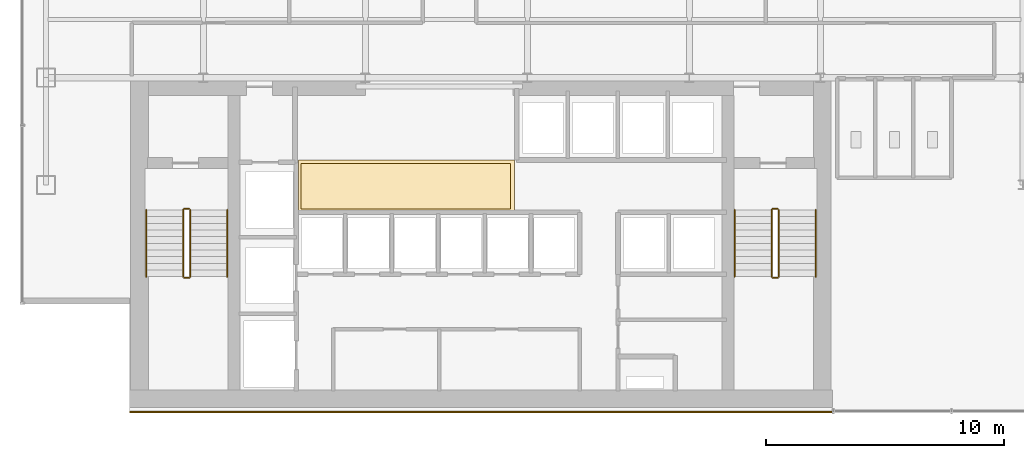
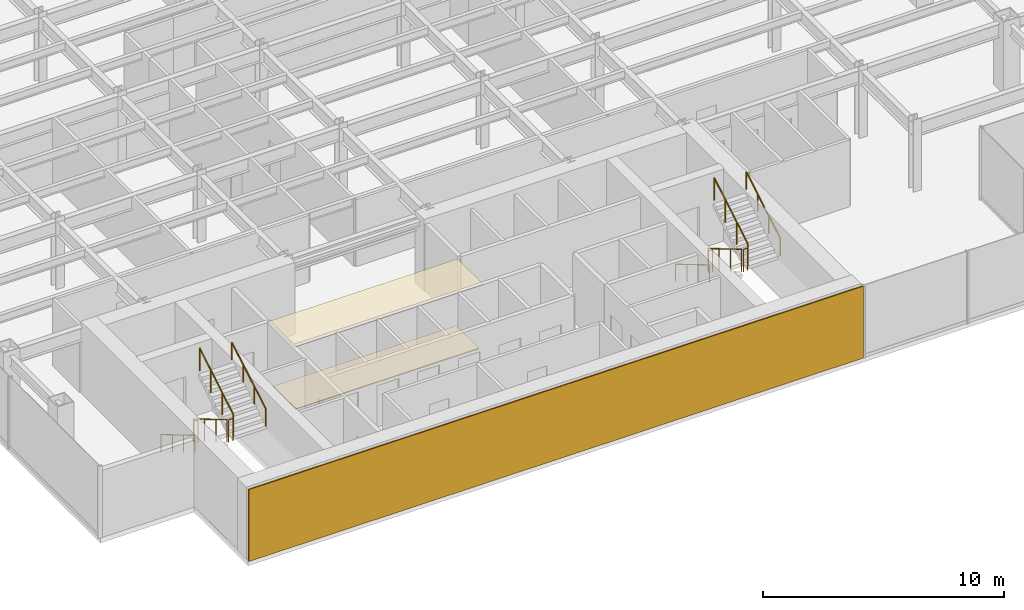
# One storey, part 24 of 26: 12 railings, 3 coverings.
"""IFC4 building model written with IfcOpenShell, lengths in metres."""

from ifc_helpers import new_model, si_unit, derived_unit, direction, frame, origin, origin_2d, place, context, subcontext, project, spatial, polyline, rectangle, circle, outline, extrude, source, transform, mapped, material, layer, layer_set, type_object, element, save


model = new_model("IFC4")

# Units and contexts
model_context = context("Model", 3, precision=1e-05, world=origin(), true_north=direction((0.0, 1.0)))
body_context = subcontext(model_context, "Body", "Model", "MODEL_VIEW")
ifc_project = project(units=[si_unit("LENGTHUNIT", "METRE"), si_unit("AREAUNIT", "SQUARE_METRE"), si_unit("VOLUMEUNIT", "CUBIC_METRE"), si_unit("PLANEANGLEUNIT", "RADIAN"), si_unit("MASSUNIT", "GRAM", prefix="KILO"), derived_unit("THERMALTRANSMITTANCEUNIT", [(si_unit("POWERUNIT", "WATT"), 1), (si_unit("LENGTHUNIT", "METRE"), -2), (si_unit("THERMODYNAMICTEMPERATUREUNIT", "KELVIN"), -1)])], contexts=[model_context])

# Site, building, storey
site_placement = place(None, origin())
site = spatial("IfcSite", under=ifc_project, at=site_placement, CompositionType="ELEMENT")
building_placement = place(site_placement, origin())
building = spatial("IfcBuilding", under=site, at=building_placement, Name="Skarnbrae Concourse Arena and Tower", CompositionType="ELEMENT")
storey_placement = place(building_placement, frame((0.0, 0.0, 110.550048828125)))
storey = spatial("IfcBuildingStorey", under=building, at=storey_placement, Name="L27", CompositionType="ELEMENT", Elevation=110.550048828125)

# Coverings
ifc_material_1 = material(Name="Mineral fibre acoustic ceiling tile", Category="other")
ifc_layer_1 = layer(ifc_material_1, 0.0400390625)
ifc_layer_set_1 = layer_set([ifc_layer_1], Name="Mineral fibre acoustic ceiling tile")
covering_type_1 = type_object("IfcCoveringType", Name="COV-CEIL-ACOUSTIC", PredefinedType="CEILING", material=ifc_layer_set_1)
covering_1_placement = place(storey_placement, frame((0.0, 0.0, 3.239990234375)))
element("IfcCovering", 1, at=covering_1_placement, inside=storey, type_object=covering_type_1, Name="L27 Lift lobby acoustic ceiling", PredefinedType="CEILING", context=body_context, shape_type="SweptSolid", body=[
    extrude(outline(polyline([(11.60009765625, 8.39990234375), (20.64990234375, 8.39990234375), (20.64990234375, 10.550048828125), (11.60009765625, 10.550048828125), (11.60009765625, 8.39990234375)])), origin(), (0.0, 0.0, 1.0), 0.0400390625),
])
ifc_material_2 = material(Name="Polished granite terrazzo flooring", Category="masonry")
ifc_layer_2 = layer(ifc_material_2, 0.0400390625)
ifc_layer_set_2 = layer_set([ifc_layer_2], Name="Polished granite terrazzo flooring")
covering_type_2 = type_object("IfcCoveringType", Name="COV-FLOOR-TERRAZZO", PredefinedType="FLOORING", material=ifc_layer_set_2)
covering_2_placement = place(storey_placement, origin())
element("IfcCovering", 2, at=covering_2_placement, inside=storey, type_object=covering_type_2, Name="L27 Lift lobby terrazzo flooring", PredefinedType="FLOORING", context=body_context, shape_type="SweptSolid", body=[
    extrude(outline(polyline([(11.699951171875, 8.5), (20.5, 8.5), (20.5, 10.39990234375), (11.699951171875, 10.39990234375), (11.699951171875, 8.5)])), origin(), (0.0, 0.0, 1.0), 0.0400390625),
])

# Railings
ifc_material_3 = material(Name="Steel CSA G40.21 350W", Category="steel")
railing_type_1 = type_object("IfcRailingType", Name="RAIL-HANDRAIL-900", PredefinedType="HANDRAIL", material=ifc_material_3)
railing_1_placement = place(storey_placement, frame((5.199951171875, 8.449951171875, 0.165771484375)))
element("IfcRailing", 3, at=railing_1_placement, inside=storey, type_object=railing_type_1, Name="L27 ST-1 stair handrail 1", PredefinedType="HANDRAIL", context=body_context, shape_type="SweptSolid", body=[
    extrude(circle(Radius=0.02392578125, at=origin_2d()), frame((0.0, 0.0, 0.8759765625), z_axis=(0.0, -0.860306154799, 0.50977771628), x_axis=(1.0, 0.0, 0.0)), (0.0, 0.0, 1.0), 3.254638671875),
    extrude(circle(Radius=0.02099609375, at=origin_2d()), origin(), (0.0, 0.0, 1.0), 0.851806640625),
    extrude(circle(Radius=0.02099609375, at=origin_2d()), frame((0.0, -0.933349609375, 0.552978515625)), (0.0, 0.0, 1.0), 0.851806640625),
    extrude(circle(Radius=0.02099609375, at=origin_2d()), frame((0.0, -1.86669921875, 1.106201171875)), (0.0, 0.0, 1.0), 0.851806640625),
    extrude(circle(Radius=0.02099609375, at=origin_2d()), frame((0.0, -2.800048828125, 1.6591796875)), (0.0, 0.0, 1.0), 0.851806640625),
])
railing_2_placement = place(storey_placement, frame((8.60009765625, 5.64990234375, 1.990966796875)))
element("IfcRailing", 4, at=railing_2_placement, inside=storey, type_object=railing_type_1, Name="L27 ST-1 stair handrail 2", PredefinedType="HANDRAIL", context=body_context, shape_type="SweptSolid", body=[
    extrude(circle(Radius=0.02392578125, at=origin_2d()), frame((0.0, 0.0, 0.8759765625), z_axis=(0.0, 0.860339051648, 0.50972219513), x_axis=(-1.0, 0.0, 0.0)), (0.0, 0.0, 1.0), 3.254638671875),
    extrude(circle(Radius=0.02099609375, at=origin_2d()), origin(), (0.0, 0.0, 1.0), 0.851806640625),
    extrude(circle(Radius=0.02099609375, at=origin_2d()), frame((0.0, 0.933349609375, 0.552978515625)), (0.0, 0.0, 1.0), 0.851806640625),
    extrude(circle(Radius=0.02099609375, at=origin_2d()), frame((0.0, 1.86669921875, 1.10595703125)), (0.0, 0.0, 1.0), 0.851806640625),
    extrude(circle(Radius=0.02099609375, at=origin_2d()), frame((0.0, 2.800048828125, 1.658935546875)), (0.0, 0.0, 1.0), 0.851806640625),
])
railing_3_placement = place(storey_placement, frame((29.89990234375, 8.449951171875, 0.165771484375)))
element("IfcRailing", 5, at=railing_3_placement, inside=storey, type_object=railing_type_1, Name="L27 ST-2 stair handrail 1", PredefinedType="HANDRAIL", context=body_context, shape_type="SweptSolid", body=[
    extrude(circle(Radius=0.02392578125, at=origin_2d()), frame((0.0, 0.0, 0.8759765625), z_axis=(0.0, -0.860306154799, 0.50977771628), x_axis=(1.0, 0.0, 0.0)), (0.0, 0.0, 1.0), 3.254638671875),
    extrude(circle(Radius=0.02099609375, at=origin_2d()), origin(), (0.0, 0.0, 1.0), 0.851806640625),
    extrude(circle(Radius=0.02099609375, at=origin_2d()), frame((0.0, -0.933349609375, 0.552978515625)), (0.0, 0.0, 1.0), 0.851806640625),
    extrude(circle(Radius=0.02099609375, at=origin_2d()), frame((0.0, -1.86669921875, 1.106201171875)), (0.0, 0.0, 1.0), 0.851806640625),
    extrude(circle(Radius=0.02099609375, at=origin_2d()), frame((0.0, -2.800048828125, 1.6591796875)), (0.0, 0.0, 1.0), 0.851806640625),
])
railing_4_placement = place(storey_placement, frame((33.300048828125, 5.64990234375, 1.990966796875)))
element("IfcRailing", 6, at=railing_4_placement, inside=storey, type_object=railing_type_1, Name="L27 ST-2 stair handrail 2", PredefinedType="HANDRAIL", context=body_context, shape_type="SweptSolid", body=[
    extrude(circle(Radius=0.02392578125, at=origin_2d()), frame((0.0, 0.0, 0.8759765625), z_axis=(0.0, 0.860339051648, 0.50972219513), x_axis=(-1.0, 0.0, 0.0)), (0.0, 0.0, 1.0), 3.254638671875),
    extrude(circle(Radius=0.02099609375, at=origin_2d()), origin(), (0.0, 0.0, 1.0), 0.851806640625),
    extrude(circle(Radius=0.02099609375, at=origin_2d()), frame((0.0, 0.933349609375, 0.552978515625)), (0.0, 0.0, 1.0), 0.851806640625),
    extrude(circle(Radius=0.02099609375, at=origin_2d()), frame((0.0, 1.86669921875, 1.10595703125)), (0.0, 0.0, 1.0), 0.851806640625),
    extrude(circle(Radius=0.02099609375, at=origin_2d()), frame((0.0, 2.800048828125, 1.658935546875)), (0.0, 0.0, 1.0), 0.851806640625),
])
railing_type_2 = type_object("IfcRailingType", Name="RAIL-STAIR-GUARD-1150", PredefinedType="GUARDRAIL", material=ifc_material_3)
railing_5_placement = place(storey_placement, frame((6.75, 8.449951171875, 0.165771484375)))
element("IfcRailing", 7, at=railing_5_placement, inside=storey, type_object=railing_type_2, Name="L27 ST-1 stair guard 1", PredefinedType="GUARDRAIL", context=body_context, shape_type="SweptSolid", body=[
    extrude(circle(Radius=0.02392578125, at=origin_2d()), frame((0.0, 0.0, 1.1259765625), z_axis=(0.0, -0.860306154799, 0.50977771628), x_axis=(1.0, 0.0, 0.0)), (0.0, 0.0, 1.0), 3.254638671875),
    extrude(circle(Radius=0.02099609375, at=origin_2d()), origin(), (0.0, 0.0, 1.0), 1.101806640625),
    extrude(circle(Radius=0.02099609375, at=origin_2d()), frame((0.0, -0.933349609375, 0.552978515625)), (0.0, 0.0, 1.0), 1.101806640625),
    extrude(circle(Radius=0.02099609375, at=origin_2d()), frame((0.0, -1.86669921875, 1.106201171875)), (0.0, 0.0, 1.0), 1.101806640625),
    extrude(circle(Radius=0.02099609375, at=origin_2d()), frame((0.0, -2.800048828125, 1.6591796875)), (0.0, 0.0, 1.0), 1.101806640625),
])
railing_6_placement = place(storey_placement, frame((6.800048828125, 5.60009765625, 1.824951171875)))
element("IfcRailing", 8, at=railing_6_placement, inside=storey, type_object=railing_type_2, Name="L27 ST-1 stair guard 2", PredefinedType="GUARDRAIL", context=body_context, shape_type="SweptSolid", body=[
    extrude(circle(Radius=0.02392578125, at=origin_2d()), frame((0.0, 0.0, 1.1259765625), z_axis=(1.0, 0.0, 0.0), x_axis=(0.0, 1.0, 0.0)), (0.0, 0.0, 1.0), 0.199951171875),
    extrude(circle(Radius=0.02099609375, at=origin_2d()), origin(), (0.0, 0.0, 1.0), 1.101806640625),
    extrude(circle(Radius=0.02099609375, at=origin_2d()), frame((0.199951171875, 0.0, 0.0)), (0.0, 0.0, 1.0), 1.101806640625),
])
railing_7_placement = place(storey_placement, frame((7.050048828125, 5.64990234375, 1.990966796875)))
element("IfcRailing", 9, at=railing_7_placement, inside=storey, type_object=railing_type_2, Name="L27 ST-1 stair guard 3", PredefinedType="GUARDRAIL", context=body_context, shape_type="SweptSolid", body=[
    extrude(circle(Radius=0.02392578125, at=origin_2d()), frame((0.0, 0.0, 1.1259765625), z_axis=(0.0, 0.860339051648, 0.50972219513), x_axis=(-1.0, 0.0, 0.0)), (0.0, 0.0, 1.0), 3.254638671875),
    extrude(circle(Radius=0.02099609375, at=origin_2d()), origin(), (0.0, 0.0, 1.0), 1.101806640625),
    extrude(circle(Radius=0.02099609375, at=origin_2d()), frame((0.0, 0.933349609375, 0.552978515625)), (0.0, 0.0, 1.0), 1.101806640625),
    extrude(circle(Radius=0.02099609375, at=origin_2d()), frame((0.0, 1.86669921875, 1.10595703125)), (0.0, 0.0, 1.0), 1.101806640625),
    extrude(circle(Radius=0.02099609375, at=origin_2d()), frame((0.0, 2.800048828125, 1.658935546875)), (0.0, 0.0, 1.0), 1.101806640625),
])
railing_8_placement = place(storey_placement, frame((6.800048828125, 8.5, 0.0)))
element("IfcRailing", 10, at=railing_8_placement, inside=storey, type_object=railing_type_2, Name="L27 ST-1 stair guard 4", PredefinedType="GUARDRAIL", context=body_context, shape_type="SweptSolid", body=[
    extrude(circle(Radius=0.02392578125, at=origin_2d()), frame((0.0, 0.0, 1.1259765625), z_axis=(1.0, 0.0, 0.0), x_axis=(0.0, 1.0, 0.0)), (0.0, 0.0, 1.0), 0.199951171875),
    extrude(circle(Radius=0.02099609375, at=origin_2d()), origin(), (0.0, 0.0, 1.0), 1.101806640625),
    extrude(circle(Radius=0.02099609375, at=origin_2d()), frame((0.199951171875, 0.0, 0.0)), (0.0, 0.0, 1.0), 1.101806640625),
])
railing_9_placement = place(storey_placement, frame((31.449951171875, 8.449951171875, 0.165771484375)))
element("IfcRailing", 11, at=railing_9_placement, inside=storey, type_object=railing_type_2, Name="L27 ST-2 stair guard 1", PredefinedType="GUARDRAIL", context=body_context, shape_type="SweptSolid", body=[
    extrude(circle(Radius=0.02392578125, at=origin_2d()), frame((0.0, 0.0, 1.1259765625), z_axis=(0.0, -0.860306154799, 0.50977771628), x_axis=(1.0, 0.0, 0.0)), (0.0, 0.0, 1.0), 3.254638671875),
    extrude(circle(Radius=0.02099609375, at=origin_2d()), origin(), (0.0, 0.0, 1.0), 1.101806640625),
    extrude(circle(Radius=0.02099609375, at=origin_2d()), frame((0.0, -0.933349609375, 0.552978515625)), (0.0, 0.0, 1.0), 1.101806640625),
    extrude(circle(Radius=0.02099609375, at=origin_2d()), frame((0.0, -1.86669921875, 1.106201171875)), (0.0, 0.0, 1.0), 1.101806640625),
    extrude(circle(Radius=0.02099609375, at=origin_2d()), frame((0.0, -2.800048828125, 1.6591796875)), (0.0, 0.0, 1.0), 1.101806640625),
])
railing_10_placement = place(storey_placement, frame((31.5, 5.60009765625, 1.824951171875)))
element("IfcRailing", 12, at=railing_10_placement, inside=storey, type_object=railing_type_2, Name="L27 ST-2 stair guard 2", PredefinedType="GUARDRAIL", context=body_context, shape_type="SweptSolid", body=[
    extrude(circle(Radius=0.02392578125, at=origin_2d()), frame((0.0, 0.0, 1.1259765625), z_axis=(1.0, 0.0, 0.0), x_axis=(0.0, 1.0, 0.0)), (0.0, 0.0, 1.0), 0.199951171875),
    extrude(circle(Radius=0.02099609375, at=origin_2d()), origin(), (0.0, 0.0, 1.0), 1.101806640625),
    extrude(circle(Radius=0.02099609375, at=origin_2d()), frame((0.199951171875, 0.0, 0.0)), (0.0, 0.0, 1.0), 1.101806640625),
])
railing_11_placement = place(storey_placement, frame((31.75, 5.64990234375, 1.990966796875)))
element("IfcRailing", 13, at=railing_11_placement, inside=storey, type_object=railing_type_2, Name="L27 ST-2 stair guard 3", PredefinedType="GUARDRAIL", context=body_context, shape_type="SweptSolid", body=[
    extrude(circle(Radius=0.02392578125, at=origin_2d()), frame((0.0, 0.0, 1.1259765625), z_axis=(0.0, 0.860339051648, 0.50972219513), x_axis=(-1.0, 0.0, 0.0)), (0.0, 0.0, 1.0), 3.254638671875),
    extrude(circle(Radius=0.02099609375, at=origin_2d()), origin(), (0.0, 0.0, 1.0), 1.101806640625),
    extrude(circle(Radius=0.02099609375, at=origin_2d()), frame((0.0, 0.933349609375, 0.552978515625)), (0.0, 0.0, 1.0), 1.101806640625),
    extrude(circle(Radius=0.02099609375, at=origin_2d()), frame((0.0, 1.86669921875, 1.10595703125)), (0.0, 0.0, 1.0), 1.101806640625),
    extrude(circle(Radius=0.02099609375, at=origin_2d()), frame((0.0, 2.800048828125, 1.658935546875)), (0.0, 0.0, 1.0), 1.101806640625),
])
railing_12_placement = place(storey_placement, frame((31.5, 8.5, 0.0)))
element("IfcRailing", 14, at=railing_12_placement, inside=storey, type_object=railing_type_2, Name="L27 ST-2 stair guard 4", PredefinedType="GUARDRAIL", context=body_context, shape_type="SweptSolid", body=[
    extrude(circle(Radius=0.02392578125, at=origin_2d()), frame((0.0, 0.0, 1.1259765625), z_axis=(1.0, 0.0, 0.0), x_axis=(0.0, 1.0, 0.0)), (0.0, 0.0, 1.0), 0.199951171875),
    extrude(circle(Radius=0.02099609375, at=origin_2d()), origin(), (0.0, 0.0, 1.0), 1.101806640625),
    extrude(circle(Radius=0.02099609375, at=origin_2d()), frame((0.199951171875, 0.0, 0.0)), (0.0, 0.0, 1.0), 1.101806640625),
])

# Covering
ifc_material_4 = material(Name="Bronze anodised aluminium 6063-T6", Category="aluminium")
ifc_layer_3 = layer(ifc_material_4, 0.06005859375)
ifc_layer_set_3 = layer_set([ifc_layer_3], Name="Bronze anodised aluminium 6063-T6")
covering_type_3 = type_object("IfcCoveringType", Name="COV-CLAD-BRONZE-60", PredefinedType="CLADDING", material=ifc_layer_set_3)
shared_shape = source(origin(), body_context, "Body", "SweptSolid", [
    extrude(rectangle(XDim=29.5, YDim=0.06005859375, at=origin_2d()), origin(), (0.0, 0.0, 1.0), 3.64990234375),
])
covering_3_placement = place(storey_placement, frame((19.25, -0.030029296875, 0.0), z_axis=(0.0, 0.0, 1.0), x_axis=(1.0, 0.0, 0.0)))
element("IfcCovering", 15, at=covering_3_placement, inside=storey, type_object=covering_type_3, Name="L27 Rear-core plumb spine bronze rainscreen panel", PredefinedType="CLADDING", context=body_context, shape_type="MappedRepresentation", body=[
    mapped(shared_shape, transform((0.0, 0.0, 0.0))),
])

save(model, "model.ifc")
